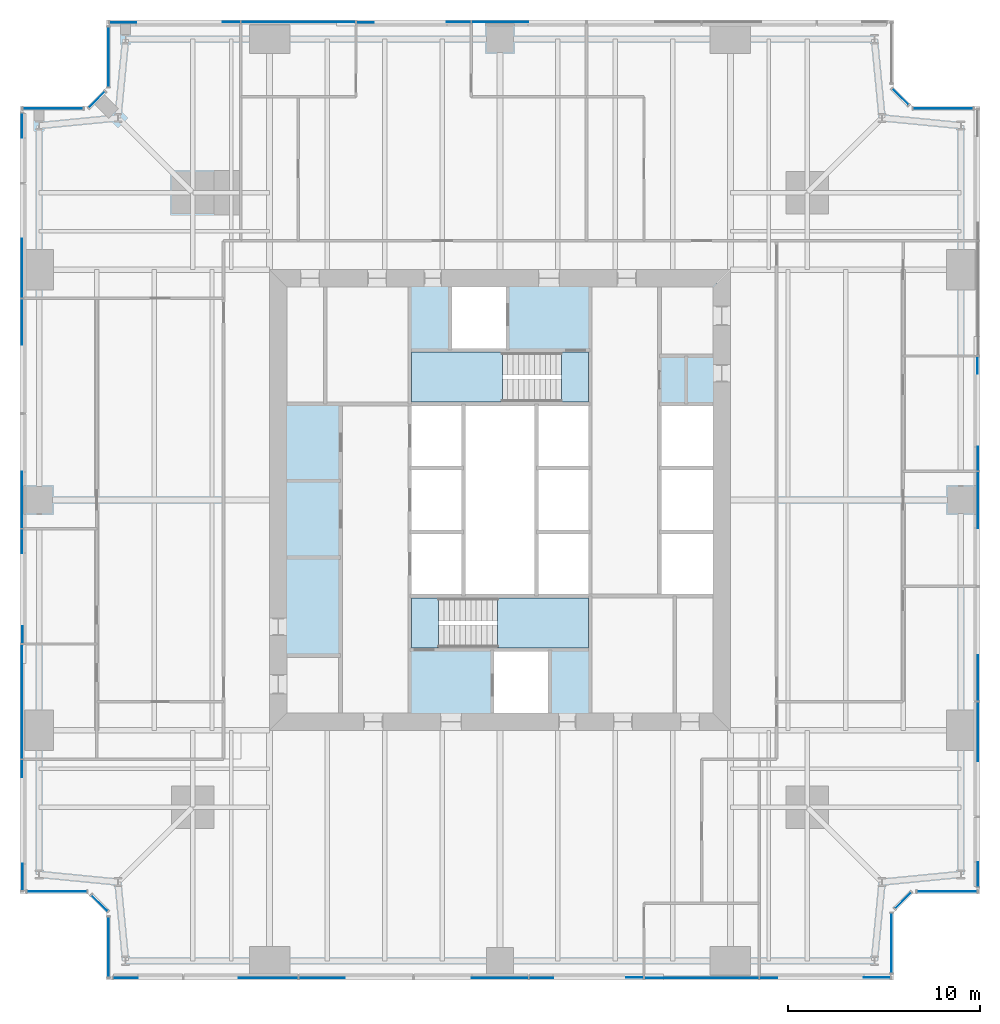
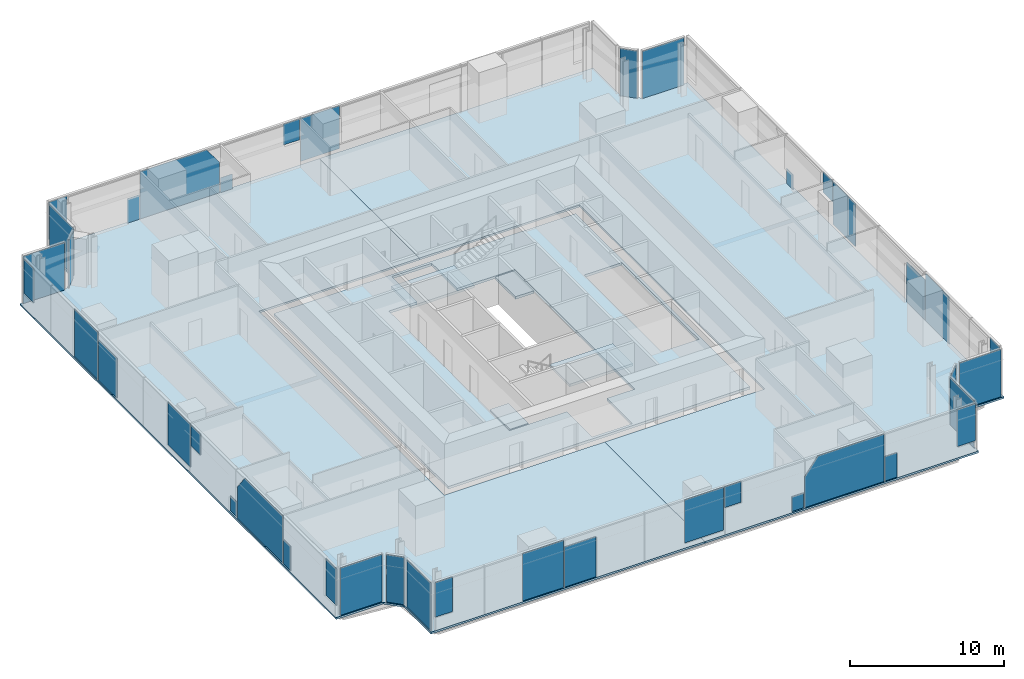
# One storey, part 8 of 14: 41 plates, 7 slabs, 17 elements without a shape of their own.
"""IFC4 building model written with IfcOpenShell, lengths in metres."""

import ifcopenshell
import ifcopenshell.guid

model = None  # the IFC model being written
_history = None  # IfcOwnerHistory: only IFC2X3 demands one
_inside = {}  # id of a spatial element -> (the spatial element, [elements in it])
_under = {}  # id of a project, library or spatial element -> (it, [spatial elements below it])
_declared = {}  # id of a project -> (the project, [libraries it declares])
_typed = {}  # id of a type object -> (the type object, [elements of that type])
_made_of = {}  # id of a material, layer set ... -> (it, [elements and type objects made of it])


def new_model(schema):
    """Start an empty IFC model of exactly this schema.

    Asked for "IFC4X3", IfcOpenShell would pick the latest addendum, in which some entities
    have other attributes; the version numbers below select the first issue.
    IFC2X3 requires an IfcOwnerHistory on every rooted entity: one is made here for all.
    """
    global model, _history
    if schema == "IFC4X3":
        model = ifcopenshell.file(schema_version=(4, 3, 0, 0))
    else:
        model = ifcopenshell.file(schema=schema)
    _inside.clear()
    _under.clear()
    _declared.clear()
    _typed.clear()
    _made_of.clear()
    _history = None
    if model.schema == "IFC2X3":
        org = make("IfcOrganization", Name="unknown")
        user = make(
            "IfcPersonAndOrganization",
            ThePerson=make("IfcPerson", FamilyName="unknown"),
            TheOrganization=org,
        )
        app = make(
            "IfcApplication",
            ApplicationDeveloper=org,
            Version="unknown",
            ApplicationFullName="unknown",
            ApplicationIdentifier="unknown",
        )
        _history = make(
            "IfcOwnerHistory",
            OwningUser=user,
            OwningApplication=app,
            ChangeAction="ADDED",
            CreationDate=0,
        )
    return model


def make(cls, **values):
    """One entity of the class cls with the attributes given. An attribute that is None is left unset."""
    return model.create_entity(
        cls, **{name: value for name, value in values.items() if value is not None}
    )


def rooted(cls, **values):
    """An entity with a GlobalId (a new one), such as an element, a storey or a relation."""
    return make(cls, GlobalId=ifcopenshell.guid.new(), OwnerHistory=_history, **values)


def si_unit(unit_type, name, prefix=None):
    """IfcSIUnit, for example si_unit("LENGTHUNIT", "METRE", prefix="MILLI")."""
    return make("IfcSIUnit", UnitType=unit_type, Prefix=prefix, Name=name)


def assignment(units):
    """IfcUnitAssignment: the units of a project."""
    return None if units is None else make("IfcUnitAssignment", Units=units)


def point(xyz):
    """IfcCartesianPoint."""
    return None if xyz is None else make("IfcCartesianPoint", Coordinates=xyz)


def direction(xyz):
    """IfcDirection."""
    return None if xyz is None else make("IfcDirection", DirectionRatios=xyz)


def frame(location, z_axis=None, x_axis=None):
    """IfcAxis2Placement3D, a coordinate frame: its origin and axes. An axis left out is left unset."""
    return make(
        "IfcAxis2Placement3D",
        Location=point(location),
        Axis=direction(z_axis),
        RefDirection=direction(x_axis),
    )


def frame_2d(location, x_axis=None):
    """IfcAxis2Placement2D, a coordinate frame in the plane: its origin and x axis."""
    return make(
        "IfcAxis2Placement2D", Location=point(location), RefDirection=direction(x_axis)
    )


def origin():
    """The frame at (0, 0, 0) with its axes left unset."""
    return frame((0.0, 0.0, 0.0))


def origin_2d():
    """The frame at (0, 0) in the plane with its x axis left unset."""
    return frame_2d((0.0, 0.0))


def place(relative_to, where):
    """IfcLocalPlacement: puts the frame where relative to a parent placement (None: the world)."""
    return make(
        "IfcLocalPlacement", PlacementRelTo=relative_to, RelativePlacement=where
    )


def context(
    kind, dimensions, precision=None, world=None, true_north=None, identifier=None
):
    """IfcGeometricRepresentationContext, for example the 3D "Model" context."""
    return make(
        "IfcGeometricRepresentationContext",
        ContextIdentifier=identifier,
        ContextType=kind,
        CoordinateSpaceDimension=dimensions,
        Precision=precision,
        WorldCoordinateSystem=world,
        TrueNorth=true_north,
    )


def subcontext(parent, identifier, kind, view, scale=None):
    """IfcGeometricRepresentationSubContext, for example "Body" below "Model"."""
    return make(
        "IfcGeometricRepresentationSubContext",
        ContextIdentifier=identifier,
        ContextType=kind,
        ParentContext=parent,
        TargetScale=scale,
        TargetView=view,
    )


def project(units=None, contexts=None):
    """IfcProject with its units and contexts."""
    return rooted(
        "IfcProject",
        Name="project",
        RepresentationContexts=contexts,
        UnitsInContext=assignment(units),
    )


def spatial(cls, under=None, at=None, **own):
    """A site, building, storey or space (cls), placed at a placement, below another one or the project."""
    s = rooted(cls, ObjectPlacement=at, **own)
    if under is not None:
        _under.setdefault(under.id(), (under, []))[1].append(s)
    return s


def polyline(points):
    """IfcPolyline through the points."""
    return make("IfcPolyline", Points=[point(p) for p in points])


def profile(cls, at=None, kind="AREA", **sizes):
    """A parametric profile (cls). Its sizes go by their IFC names, for example OverallWidth=200.0."""
    return make(cls, ProfileType=kind, Position=at, **sizes)


def rectangle(**sizes):
    """IfcRectangleProfileDef."""
    return profile("IfcRectangleProfileDef", **sizes)


def outline(outer, holes=None, kind="AREA"):
    """IfcArbitraryClosedProfileDef: a profile drawn as a closed curve; with holes, ...WithVoids."""
    if holes is None:
        return make("IfcArbitraryClosedProfileDef", ProfileType=kind, OuterCurve=outer)
    return make(
        "IfcArbitraryProfileDefWithVoids",
        ProfileType=kind,
        OuterCurve=outer,
        InnerCurves=holes,
    )


def extrude(swept, where, along, depth):
    """IfcExtrudedAreaSolid: the profile swept, set in the frame where, extruded along a direction by depth."""
    return make(
        "IfcExtrudedAreaSolid",
        SweptArea=swept,
        Position=where,
        ExtrudedDirection=direction(along),
        Depth=depth,
    )


def shape(context_of_items, identifier, shape_type, items):
    """IfcShapeRepresentation: the items that make up one representation, for example the "Body"."""
    return make(
        "IfcShapeRepresentation",
        ContextOfItems=context_of_items,
        RepresentationIdentifier=identifier,
        RepresentationType=shape_type,
        Items=items,
    )


def material(Name=None, Category=None):
    """IfcMaterial."""
    return make("IfcMaterial", Name=Name, Category=Category)


def layer(
    of_material, thickness, ventilated=None, Name=None, Category=None, Priority=None
):
    """IfcMaterialLayer: one layer of a wall or slab, of a material (None: an air gap)."""
    return make(
        "IfcMaterialLayer",
        Material=of_material,
        LayerThickness=thickness,
        IsVentilated=ventilated,
        Name=Name,
        Category=Category,
        Priority=Priority,
    )


def layer_set(layers, Name=None):
    """IfcMaterialLayerSet."""
    return make("IfcMaterialLayerSet", MaterialLayers=layers, LayerSetName=Name)


def made_of(thing, what):
    """Note that an element or type object is made of a material, layer set ...; save() writes the relation."""
    if what is not None:
        _made_of.setdefault(what.id(), (what, []))[1].append(thing)
    return thing


def type_object(cls, material=None, **own):
    """A type object (cls), such as IfcWallType, which elements share."""
    return made_of(rooted(cls, **own), material)


def element(
    cls,
    number,
    at=None,
    inside=None,
    cuts=None,
    type_object=None,
    material=None,
    context=None,
    identifier="Body",
    shape_type=None,
    held_by="IfcProductDefinitionShape",
    body=None,
    shapes=None,
    **own,
):
    """One element of the class cls, such as IfcWall. Its Tag is "e" and its number.

    at: its placement. inside: the storey or other place that contains it. cuts: it is an
    opening in that element (IfcRelVoidsElement). A single representation is given by context,
    identifier, shape_type and body (its items); several are given by shapes. held_by: the class
    of the entity that holds the representations. save() writes the other relations.
    """
    e = rooted(cls, Tag="e%d" % number, ObjectPlacement=at, **own)
    if body is not None:
        shapes = [shape(context, identifier, shape_type, body)]
    if shapes is not None:
        e.Representation = make(held_by, Representations=shapes)
    if inside is not None:
        _inside.setdefault(inside.id(), (inside, []))[1].append(e)
    if cuts is not None:
        rooted(
            "IfcRelVoidsElement", RelatingBuildingElement=cuts, RelatedOpeningElement=e
        )
    if type_object is not None:
        _typed.setdefault(type_object.id(), (type_object, []))[1].append(e)
    return made_of(e, material)


def aggregate(whole, parts):
    """IfcRelAggregates: a whole, such as a stair, and the parts it consists of."""
    return rooted("IfcRelAggregates", RelatingObject=whole, RelatedObjects=parts)


def save(model, path):
    """Write the relations noted so far, then the file.

    IfcRelAggregates (storeys below a building ...), IfcRelContainedInSpatialStructure (elements
    in a storey), IfcRelDefinesByType, IfcRelAssociatesMaterial and IfcRelDeclares: one each for
    every whole, place, type object, material and project.
    """
    for whole, parts in _under.values():
        aggregate(whole, parts)
    for where, things in _inside.values():
        rooted(
            "IfcRelContainedInSpatialStructure",
            RelatedElements=things,
            RelatingStructure=where,
        )
    for kind, things in _typed.values():
        rooted("IfcRelDefinesByType", RelatedObjects=things, RelatingType=kind)
    for what, things in _made_of.values():
        rooted("IfcRelAssociatesMaterial", RelatedObjects=things, RelatingMaterial=what)
    for by, libraries in _declared.values():
        rooted("IfcRelDeclares", RelatingContext=by, RelatedDefinitions=libraries)
    model.write(path)


model = new_model("IFC4")

# Units and contexts
model_context = context("Model", 3, precision=1e-05, world=origin(), true_north=direction((0.0, 1.0)))
body_context = subcontext(model_context, "Body", "Model", "MODEL_VIEW")
ifc_project = project(units=[si_unit("LENGTHUNIT", "METRE"), si_unit("AREAUNIT", "SQUARE_METRE"), si_unit("VOLUMEUNIT", "CUBIC_METRE"), si_unit("PLANEANGLEUNIT", "RADIAN"), si_unit("MASSUNIT", "GRAM", prefix="KILO")], contexts=[model_context])

# Site, building, storey
site_placement = place(None, origin())
site = spatial("IfcSite", under=ifc_project, at=site_placement, CompositionType="ELEMENT")
building_placement = place(site_placement, origin())
building = spatial("IfcBuilding", under=site, at=building_placement, Name="Fenwick Lantern Interchange", CompositionType="ELEMENT")
storey_placement = place(building_placement, frame((0.0, 0.0, 118.39990234375)))
storey = spatial("IfcBuildingStorey", under=building, at=storey_placement, Name="L27", CompositionType="ELEMENT", Elevation=118.39990234375)

# Slabs
ifc_material_1 = material(Name="Concrete f'c 35 MPa", Category="concrete")
ifc_layer_1 = layer(ifc_material_1, 0.199951171875)
ifc_layer_set_1 = layer_set([ifc_layer_1], Name="CORE FLOOR SLAB 200")
slab_type_1 = type_object("IfcSlabType", Name="CORE FLOOR SLAB 200", PredefinedType="FLOOR", material=ifc_layer_set_1)
slab_1_placement = place(storey_placement, frame((0.0, 0.0, -0.199951171875)))
element("IfcSlab", 1, at=slab_1_placement, inside=storey, type_object=slab_type_1, Name="L27/SLAB/CORE", PredefinedType="FLOOR", context=body_context, shape_type="SweptSolid", body=[
    extrude(outline(polyline([(13.699951171875, 36.300048828125), (36.300048828125, 36.300048828125), (36.300048828125, 13.699951171875), (13.699951171875, 13.699951171875), (13.699951171875, 36.300048828125)]), holes=[polyline([(29.699951171875, 17.199951171875), (29.699951171875, 20.0), (29.699951171875, 23.333251953125), (29.699951171875, 26.666748046875), (29.699951171875, 30.0), (29.699951171875, 32.800048828125), (25.39990234375, 32.800048828125), (25.39990234375, 36.10009765625), (22.39990234375, 36.10009765625), (22.39990234375, 32.800048828125), (20.300048828125, 32.800048828125), (20.300048828125, 30.0), (20.300048828125, 26.666748046875), (20.300048828125, 23.333251953125), (20.300048828125, 20.0), (20.300048828125, 17.199951171875), (24.60009765625, 17.199951171875), (24.60009765625, 13.89990234375), (27.60009765625, 13.89990234375), (27.60009765625, 17.199951171875), (29.699951171875, 17.199951171875)]), polyline([(33.300048828125, 23.333251953125), (33.300048828125, 20.0), (36.10009765625, 20.0), (36.10009765625, 23.333251953125), (36.10009765625, 26.666748046875), (36.10009765625, 30.0), (33.300048828125, 30.0), (33.300048828125, 26.666748046875), (33.300048828125, 23.333251953125)])]), origin(), (0.0, 0.0, 1.0), 0.199951171875),
])
ifc_material_2 = material(Name="Concrete f'c 35 MPa", Category="concrete")
ifc_layer_2 = layer(ifc_material_2, 0.14990234375)
ifc_layer_set_2 = layer_set([ifc_layer_2], Name="Concrete f'c 35 MPa")
slab_type_2 = type_object("IfcSlabType", Name="FLOOR SLAB 150", PredefinedType="FLOOR", material=ifc_layer_set_2)
slab_2_placement = place(storey_placement, frame((0.0, 0.0, -0.14990234375)))
element("IfcSlab", 2, at=slab_2_placement, inside=storey, type_object=slab_type_2, Name="L27/SLAB/FW", PredefinedType="FLOOR", context=body_context, shape_type="SweptSolid", body=[
    extrude(outline(polyline([(4.5, 0.0), (4.5, 3.5), (3.5, 4.5), (0.0, 4.5), (0.0, 45.5), (3.5, 45.5), (4.5, 46.5), (4.5, 50.0), (25.0, 50.0), (25.0, 37.0), (13.0, 37.0), (13.0, 13.0), (25.0, 13.0), (25.0, 0.0), (4.5, 0.0)])), origin(), (0.0, 0.0, 1.0), 0.14990234375),
])
slab_3_placement = place(storey_placement, frame((0.0, 0.0, -0.14990234375)))
element("IfcSlab", 3, at=slab_3_placement, inside=storey, type_object=slab_type_2, Name="L27/SLAB/FE", PredefinedType="FLOOR", context=body_context, shape_type="SweptSolid", body=[
    extrude(outline(polyline([(45.5, 50.0), (45.5, 46.5), (46.5, 45.5), (50.0, 45.5), (50.0, 4.5), (46.5, 4.5), (45.5, 3.5), (45.5, 0.0), (25.0, 0.0), (25.0, 13.0), (37.0, 13.0), (37.0, 37.0), (25.0, 37.0), (25.0, 50.0), (45.5, 50.0)])), origin(), (0.0, 0.0, 1.0), 0.14990234375),
])

# Curtain wall, plates
ifc_material_3 = material(Name="Aluminium curtain wall frame", Category="aluminium")
curtain_wall_type = type_object("IfcCurtainWallType", Name="OFFICE CURTAIN WALL", PredefinedType="USERDEFINED", material=ifc_material_3)
curtain_wall_1_placement = place(storey_placement, origin())
curtain_wall_1 = element("IfcCurtainWall", 4, at=curtain_wall_1_placement, inside=storey, type_object=curtain_wall_type, Name="Office curtain wall 01", ObjectType="OFFICE CURTAIN WALL", PredefinedType="USERDEFINED")
ifc_material_4 = material(Name="Vision glass, clear low-iron double glazed", Category="glass")
ifc_layer_3 = layer(ifc_material_4, 0.031982421875)
ifc_layer_set_3 = layer_set([ifc_layer_3], Name="OFFICE CURTAIN WALL PANEL 32")
plate_type = type_object("IfcPlateType", Name="OFFICE CURTAIN WALL PANEL 32", PredefinedType="CURTAIN_PANEL", material=ifc_layer_set_3)
plate_1_placement = place(storey_placement, frame((4.60009765625, 0.10009765625, 1.010986328125), z_axis=(0.0, 0.0, 1.0), x_axis=(1.0, 0.0, 0.0)))
plate_1 = element("IfcPlate", 5, at=plate_1_placement, type_object=plate_type, Name="L27/CW/01/P00a", PredefinedType="CURTAIN_PANEL", context=body_context, shape_type="SweptSolid", body=[
    extrude(outline(polyline([(0.264892578125, 0.0), (1.544921875, 0.0), (1.544921875, 2.739013671875), (0.264892578125, 2.739013671875), (0.264892578125, 0.0)])), frame((0.0, 0.01611328125, 0.0), z_axis=(0.0, -1.0, 0.0), x_axis=(1.0, 0.0, 0.0)), (0.0, 0.0, 1.0), 0.031982421875),
])
plate_2_placement = place(storey_placement, frame((4.60009765625, 0.10009765625, 0.0), z_axis=(0.0, 0.0, 1.0), x_axis=(1.0, 0.0, 0.0)))
plate_2 = element("IfcPlate", 6, at=plate_2_placement, type_object=plate_type, Name="L27/CW/01/P01a", PredefinedType="CURTAIN_PANEL", context=body_context, shape_type="SweptSolid", body=[
    extrude(outline(polyline([(6.802001953125, 0.0), (9.867431640625, 0.0), (9.867431640625, 3.744140625), (6.802001953125, 3.744140625), (6.802001953125, 0.0)])), frame((0.0, 0.01611328125, 0.0), z_axis=(0.0, -1.0, 0.0), x_axis=(1.0, 0.0, 0.0)), (0.0, 0.0, 1.0), 0.031982421875),
])
plate_3_placement = place(storey_placement, frame((4.60009765625, 0.10009765625, 0.0), z_axis=(0.0, 0.0, 1.0), x_axis=(1.0, 0.0, 0.0)))
plate_3 = element("IfcPlate", 7, at=plate_3_placement, type_object=plate_type, Name="L27/CW/01/P02a", PredefinedType="CURTAIN_PANEL", context=body_context, shape_type="SweptSolid", body=[
    extrude(outline(polyline([(9.9326171875, 0.0), (12.3125, 0.0), (12.3125, 3.177490234375), (9.9326171875, 3.177490234375), (9.9326171875, 0.0)])), frame((0.0, 0.01611328125, 0.0), z_axis=(0.0, -1.0, 0.0), x_axis=(1.0, 0.0, 0.0)), (0.0, 0.0, 1.0), 0.031982421875),
])
plate_4_placement = place(storey_placement, frame((4.60009765625, 0.10009765625, 0.350830078125), z_axis=(0.0, 0.0, 1.0), x_axis=(1.0, 0.0, 0.0)))
plate_4 = element("IfcPlate", 8, at=plate_4_placement, type_object=plate_type, Name="L27/CW/01/P03a", PredefinedType="CURTAIN_PANEL", context=body_context, shape_type="SweptSolid", body=[
    extrude(outline(polyline([(18.93310546875, 0.0), (21.867431640625, 0.0), (21.867431640625, 3.399169921875), (18.93310546875, 3.399169921875), (18.93310546875, 0.0)])), frame((0.0, 0.01611328125, 0.0), z_axis=(0.0, -1.0, 0.0), x_axis=(1.0, 0.0, 0.0)), (0.0, 0.0, 1.0), 0.031982421875),
])
plate_5_placement = place(storey_placement, frame((4.60009765625, 0.10009765625, 2.0908203125), z_axis=(0.0, 0.0, 1.0), x_axis=(1.0, 0.0, 0.0)))
plate_5 = element("IfcPlate", 9, at=plate_5_placement, type_object=plate_type, Name="L27/CW/01/P04a", PredefinedType="CURTAIN_PANEL", context=body_context, shape_type="SweptSolid", body=[
    extrude(outline(polyline([(21.9326171875, 0.0), (23.172607421875, 0.0), (23.172607421875, 1.6591796875), (21.9326171875, 1.6591796875), (21.9326171875, 0.0)])), frame((0.0, 0.01611328125, 0.0), z_axis=(0.0, -1.0, 0.0), x_axis=(1.0, 0.0, 0.0)), (0.0, 0.0, 1.0), 0.031982421875),
])
plate_6_placement = place(storey_placement, frame((4.60009765625, 0.10009765625, 0.0), z_axis=(0.0, 0.0, 1.0), x_axis=(1.0, 0.0, 0.0)))
plate_6 = element("IfcPlate", 10, at=plate_6_placement, type_object=plate_type, Name="L27/CW/01/P04b", PredefinedType="CURTAIN_PANEL", context=body_context, shape_type="SweptSolid", body=[
    extrude(outline(polyline([(26.984619140625, 0.0), (27.867431640625, 0.0), (27.867431640625, 1.17333984375), (26.984619140625, 1.17333984375), (26.984619140625, 0.0)])), frame((0.0, 0.0498046875, 0.0), z_axis=(0.0, -1.0, 0.0), x_axis=(1.0, 0.0, 0.0)), (0.0, 0.0, 1.0), 0.031982421875),
])
plate_7_placement = place(storey_placement, frame((4.60009765625, 0.10009765625, 0.0), z_axis=(0.0, 0.0, 1.0), x_axis=(1.0, 0.0, 0.0)))
plate_7 = element("IfcPlate", 11, at=plate_7_placement, type_object=plate_type, Name="L27/CW/01/P05a", PredefinedType="CURTAIN_PANEL", context=body_context, shape_type="SweptSolid", body=[
    extrude(outline(polyline([(27.9326171875, 0.0), (33.867431640625, 0.0), (33.867431640625, 3.75), (28.9169921875, 3.75), (27.9326171875, 2.4375), (27.9326171875, 0.0)])), frame((0.0, 0.01611328125, 0.0), z_axis=(0.0, -1.0, 0.0), x_axis=(1.0, 0.0, 0.0)), (0.0, 0.0, 1.0), 0.031982421875),
])
plate_8_placement = place(storey_placement, frame((4.60009765625, 0.10009765625, 0.0), z_axis=(0.0, 0.0, 1.0), x_axis=(1.0, 0.0, 0.0)))
plate_8 = element("IfcPlate", 12, at=plate_8_placement, type_object=plate_type, Name="L27/CW/01/P06a", PredefinedType="CURTAIN_PANEL", context=body_context, shape_type="SweptSolid", body=[
    extrude(outline(polyline([(33.9326171875, 0.0), (34.842529296875, 0.0), (34.842529296875, 1.9423828125), (33.9326171875, 1.9423828125), (33.9326171875, 0.0)])), frame((0.0, 0.01611328125, 0.0), z_axis=(0.0, -1.0, 0.0), x_axis=(1.0, 0.0, 0.0)), (0.0, 0.0, 1.0), 0.031982421875),
])
plate_9_placement = place(storey_placement, frame((4.60009765625, 0.10009765625, 0.80615234375), z_axis=(0.0, 0.0, 1.0), x_axis=(1.0, 0.0, 0.0)))
plate_9 = element("IfcPlate", 13, at=plate_9_placement, type_object=plate_type, Name="L27/CW/01/P06b", PredefinedType="CURTAIN_PANEL", context=body_context, shape_type="SweptSolid", body=[
    extrude(outline(polyline([(39.35107421875, 0.0), (40.735107421875, 0.0), (40.735107421875, 2.94384765625), (39.35107421875, 2.94384765625), (39.35107421875, 0.0)])), frame((0.0, 0.0498046875, 0.0), z_axis=(0.0, -1.0, 0.0), x_axis=(1.0, 0.0, 0.0)), (0.0, 0.0, 1.0), 0.031982421875),
])
aggregate(curtain_wall_1, [plate_1, plate_2, plate_3, plate_4, plate_5, plate_6, plate_7, plate_8, plate_9])

# Curtain wall, plate
curtain_wall_2_placement = place(storey_placement, origin())
curtain_wall_2 = element("IfcCurtainWall", 14, at=curtain_wall_2_placement, inside=storey, type_object=curtain_wall_type, Name="Office curtain wall 02", ObjectType="OFFICE CURTAIN WALL", PredefinedType="USERDEFINED")
plate_10_placement = place(storey_placement, frame((45.39990234375, 1.920654296875, 0.0), z_axis=(0.0, 0.0, 1.0), x_axis=(0.0, 1.0, 0.0)))
plate_10 = element("IfcPlate", 15, at=plate_10_placement, type_object=plate_type, Name="L27/CW/02/P00", PredefinedType="CURTAIN_PANEL", context=body_context, shape_type="SweptSolid", body=[
    extrude(rectangle(XDim=3.111328125, YDim=0.031982421875, at=origin_2d()), origin(), (0.0, 0.0, 1.0), 3.75),
])
aggregate(curtain_wall_2, [plate_10])

curtain_wall_3_placement = place(storey_placement, origin())
curtain_wall_3 = element("IfcCurtainWall", 16, at=curtain_wall_3_placement, inside=storey, type_object=curtain_wall_type, Name="Office curtain wall 03", ObjectType="OFFICE CURTAIN WALL", PredefinedType="USERDEFINED")
plate_11_placement = place(storey_placement, frame((46.0, 4.141357421875, 0.0), z_axis=(0.0, 0.0, 1.0), x_axis=(0.707106781187, 0.707106781187, 0.0)))
plate_11 = element("IfcPlate", 17, at=plate_11_placement, type_object=plate_type, Name="L27/CW/03/P00", PredefinedType="CURTAIN_PANEL", context=body_context, shape_type="SweptSolid", body=[
    extrude(rectangle(XDim=1.1669921875, YDim=0.031982421875, at=origin_2d()), origin(), (0.0, 0.0, 1.0), 3.75),
])
aggregate(curtain_wall_3, [plate_11])

curtain_wall_4_placement = place(storey_placement, origin())
curtain_wall_4 = element("IfcCurtainWall", 18, at=curtain_wall_4_placement, inside=storey, type_object=curtain_wall_type, Name="Office curtain wall 04", ObjectType="OFFICE CURTAIN WALL", PredefinedType="USERDEFINED")
plate_12_placement = place(storey_placement, frame((48.279296875, 4.60009765625, 0.0), z_axis=(0.0, 0.0, 1.0), x_axis=(1.0, 0.0, 0.0)))
plate_12 = element("IfcPlate", 19, at=plate_12_placement, type_object=plate_type, Name="L27/CW/04/P00", PredefinedType="CURTAIN_PANEL", context=body_context, shape_type="SweptSolid", body=[
    extrude(rectangle(XDim=3.111328125, YDim=0.031982421875, at=origin_2d()), origin(), (0.0, 0.0, 1.0), 3.75),
])
aggregate(curtain_wall_4, [plate_12])

# Curtain wall, plates
curtain_wall_5_placement = place(storey_placement, origin())
curtain_wall_5 = element("IfcCurtainWall", 20, at=curtain_wall_5_placement, inside=storey, type_object=curtain_wall_type, Name="Office curtain wall 05", ObjectType="OFFICE CURTAIN WALL", PredefinedType="USERDEFINED")
plate_13_placement = place(storey_placement, frame((49.89990234375, 4.60009765625, 1.010986328125), z_axis=(0.0, 0.0, 1.0), x_axis=(0.0, 1.0, 0.0)))
plate_13 = element("IfcPlate", 21, at=plate_13_placement, type_object=plate_type, Name="L27/CW/05/P00a", PredefinedType="CURTAIN_PANEL", context=body_context, shape_type="SweptSolid", body=[
    extrude(outline(polyline([(0.264892578125, 0.0), (1.544921875, 0.0), (1.544921875, 2.739013671875), (0.264892578125, 2.739013671875), (0.264892578125, 0.0)])), frame((0.0, 0.01611328125, 0.0), z_axis=(0.0, -1.0, 0.0), x_axis=(1.0, 0.0, 0.0)), (0.0, 0.0, 1.0), 0.031982421875),
])
plate_14_placement = place(storey_placement, frame((49.89990234375, 4.60009765625, 0.0), z_axis=(0.0, 0.0, 1.0), x_axis=(0.0, 1.0, 0.0)))
plate_14 = element("IfcPlate", 22, at=plate_14_placement, type_object=plate_type, Name="L27/CW/05/P01a", PredefinedType="CURTAIN_PANEL", context=body_context, shape_type="SweptSolid", body=[
    extrude(outline(polyline([(6.802001953125, 0.0), (9.867431640625, 0.0), (9.867431640625, 3.744140625), (6.802001953125, 3.744140625), (6.802001953125, 0.0)])), frame((0.0, 0.01611328125, 0.0), z_axis=(0.0, -1.0, 0.0), x_axis=(1.0, 0.0, 0.0)), (0.0, 0.0, 1.0), 0.031982421875),
])
plate_15_placement = place(storey_placement, frame((49.89990234375, 4.60009765625, 0.0), z_axis=(0.0, 0.0, 1.0), x_axis=(0.0, 1.0, 0.0)))
plate_15 = element("IfcPlate", 23, at=plate_15_placement, type_object=plate_type, Name="L27/CW/05/P02a", PredefinedType="CURTAIN_PANEL", context=body_context, shape_type="SweptSolid", body=[
    extrude(outline(polyline([(9.9326171875, 0.0), (12.3125, 0.0), (12.3125, 3.177490234375), (9.9326171875, 3.177490234375), (9.9326171875, 0.0)])), frame((0.0, 0.01611328125, 0.0), z_axis=(0.0, -1.0, 0.0), x_axis=(1.0, 0.0, 0.0)), (0.0, 0.0, 1.0), 0.031982421875),
])
plate_16_placement = place(storey_placement, frame((49.89990234375, 4.60009765625, 0.350830078125), z_axis=(0.0, 0.0, 1.0), x_axis=(0.0, 1.0, 0.0)))
plate_16 = element("IfcPlate", 24, at=plate_16_placement, type_object=plate_type, Name="L27/CW/05/P03a", PredefinedType="CURTAIN_PANEL", context=body_context, shape_type="SweptSolid", body=[
    extrude(outline(polyline([(18.93310546875, 0.0), (21.867431640625, 0.0), (21.867431640625, 3.399169921875), (18.93310546875, 3.399169921875), (18.93310546875, 0.0)])), frame((0.0, 0.01611328125, 0.0), z_axis=(0.0, -1.0, 0.0), x_axis=(1.0, 0.0, 0.0)), (0.0, 0.0, 1.0), 0.031982421875),
])
plate_17_placement = place(storey_placement, frame((49.89990234375, 4.60009765625, 2.0908203125), z_axis=(0.0, 0.0, 1.0), x_axis=(0.0, 1.0, 0.0)))
plate_17 = element("IfcPlate", 25, at=plate_17_placement, type_object=plate_type, Name="L27/CW/05/P04a", PredefinedType="CURTAIN_PANEL", context=body_context, shape_type="SweptSolid", body=[
    extrude(outline(polyline([(21.9326171875, 0.0), (23.172607421875, 0.0), (23.172607421875, 1.6591796875), (21.9326171875, 1.6591796875), (21.9326171875, 0.0)])), frame((0.0, 0.01611328125, 0.0), z_axis=(0.0, -1.0, 0.0), x_axis=(1.0, 0.0, 0.0)), (0.0, 0.0, 1.0), 0.031982421875),
])
plate_18_placement = place(storey_placement, frame((49.89990234375, 4.60009765625, 0.0), z_axis=(0.0, 0.0, 1.0), x_axis=(0.0, 1.0, 0.0)))
plate_18 = element("IfcPlate", 26, at=plate_18_placement, type_object=plate_type, Name="L27/CW/05/P04b", PredefinedType="CURTAIN_PANEL", context=body_context, shape_type="SweptSolid", body=[
    extrude(outline(polyline([(26.984619140625, 0.0), (27.867431640625, 0.0), (27.867431640625, 1.17333984375), (26.984619140625, 1.17333984375), (26.984619140625, 0.0)])), frame((0.0, 0.0498046875, 0.0), z_axis=(0.0, -1.0, 0.0), x_axis=(1.0, 0.0, 0.0)), (0.0, 0.0, 1.0), 0.031982421875),
])
aggregate(curtain_wall_5, [plate_13, plate_14, plate_15, plate_16, plate_17, plate_18])

# Curtain wall, plate
curtain_wall_6_placement = place(storey_placement, origin())
curtain_wall_6 = element("IfcCurtainWall", 27, at=curtain_wall_6_placement, inside=storey, type_object=curtain_wall_type, Name="Office curtain wall 06", ObjectType="OFFICE CURTAIN WALL", PredefinedType="USERDEFINED")
plate_19_placement = place(storey_placement, frame((48.079345703125, 45.39990234375, 0.0), z_axis=(0.0, 0.0, 1.0), x_axis=(-1.0, 0.0, 0.0)))
plate_19 = element("IfcPlate", 28, at=plate_19_placement, type_object=plate_type, Name="L27/CW/06/P00", PredefinedType="CURTAIN_PANEL", context=body_context, shape_type="SweptSolid", body=[
    extrude(rectangle(XDim=3.111328125, YDim=0.031982421875, at=origin_2d()), origin(), (0.0, 0.0, 1.0), 3.75),
])
aggregate(curtain_wall_6, [plate_19])

curtain_wall_7_placement = place(storey_placement, origin())
curtain_wall_7 = element("IfcCurtainWall", 29, at=curtain_wall_7_placement, inside=storey, type_object=curtain_wall_type, Name="Office curtain wall 07", ObjectType="OFFICE CURTAIN WALL", PredefinedType="USERDEFINED")
plate_20_placement = place(storey_placement, frame((45.858642578125, 46.0, 0.0), z_axis=(0.0, 0.0, 1.0), x_axis=(-0.707106781187, 0.707106781187, 0.0)))
plate_20 = element("IfcPlate", 30, at=plate_20_placement, type_object=plate_type, Name="L27/CW/07/P00", PredefinedType="CURTAIN_PANEL", context=body_context, shape_type="SweptSolid", body=[
    extrude(rectangle(XDim=1.1669921875, YDim=0.031982421875, at=origin_2d()), origin(), (0.0, 0.0, 1.0), 3.75),
])
aggregate(curtain_wall_7, [plate_20])

# Curtain wall, plates
curtain_wall_8_placement = place(storey_placement, origin())
curtain_wall_8 = element("IfcCurtainWall", 31, at=curtain_wall_8_placement, inside=storey, type_object=curtain_wall_type, Name="Office curtain wall 09", ObjectType="OFFICE CURTAIN WALL", PredefinedType="USERDEFINED")
plate_21_placement = place(storey_placement, frame((45.39990234375, 49.89990234375, 0.350830078125), z_axis=(0.0, 0.0, 1.0), x_axis=(-1.0, 0.0, 0.0)))
plate_21 = element("IfcPlate", 32, at=plate_21_placement, type_object=plate_type, Name="L27/CW/09/P03a", PredefinedType="CURTAIN_PANEL", context=body_context, shape_type="SweptSolid", body=[
    extrude(outline(polyline([(18.93310546875, 0.0), (21.867431640625, 0.0), (21.867431640625, 3.399169921875), (18.93310546875, 3.399169921875), (18.93310546875, 0.0)])), frame((0.0, 0.01611328125, 0.0), z_axis=(0.0, -1.0, 0.0), x_axis=(1.0, 0.0, 0.0)), (0.0, 0.0, 1.0), 0.031982421875),
])
plate_22_placement = place(storey_placement, frame((45.39990234375, 49.89990234375, 2.0908203125), z_axis=(0.0, 0.0, 1.0), x_axis=(-1.0, 0.0, 0.0)))
plate_22 = element("IfcPlate", 33, at=plate_22_placement, type_object=plate_type, Name="L27/CW/09/P04a", PredefinedType="CURTAIN_PANEL", context=body_context, shape_type="SweptSolid", body=[
    extrude(outline(polyline([(21.9326171875, 0.0), (23.172607421875, 0.0), (23.172607421875, 1.6591796875), (21.9326171875, 1.6591796875), (21.9326171875, 0.0)])), frame((0.0, 0.01611328125, 0.0), z_axis=(0.0, -1.0, 0.0), x_axis=(1.0, 0.0, 0.0)), (0.0, 0.0, 1.0), 0.031982421875),
])
plate_23_placement = place(storey_placement, frame((45.39990234375, 49.89990234375, 0.0), z_axis=(0.0, 0.0, 1.0), x_axis=(-1.0, 0.0, 0.0)))
plate_23 = element("IfcPlate", 34, at=plate_23_placement, type_object=plate_type, Name="L27/CW/09/P04b", PredefinedType="CURTAIN_PANEL", context=body_context, shape_type="SweptSolid", body=[
    extrude(outline(polyline([(26.984619140625, 0.0), (27.867431640625, 0.0), (27.867431640625, 1.17333984375), (26.984619140625, 1.17333984375), (26.984619140625, 0.0)])), frame((0.0, 0.0498046875, 0.0), z_axis=(0.0, -1.0, 0.0), x_axis=(1.0, 0.0, 0.0)), (0.0, 0.0, 1.0), 0.031982421875),
])
plate_24_placement = place(storey_placement, frame((45.39990234375, 49.89990234375, 0.0), z_axis=(0.0, 0.0, 1.0), x_axis=(-1.0, 0.0, 0.0)))
plate_24 = element("IfcPlate", 35, at=plate_24_placement, type_object=plate_type, Name="L27/CW/09/P05a", PredefinedType="CURTAIN_PANEL", context=body_context, shape_type="SweptSolid", body=[
    extrude(outline(polyline([(27.9326171875, 0.0), (33.867431640625, 0.0), (33.867431640625, 3.75), (28.9169921875, 3.75), (27.9326171875, 2.4375), (27.9326171875, 0.0)])), frame((0.0, 0.01611328125, 0.0), z_axis=(0.0, -1.0, 0.0), x_axis=(1.0, 0.0, 0.0)), (0.0, 0.0, 1.0), 0.031982421875),
])
plate_25_placement = place(storey_placement, frame((45.39990234375, 49.89990234375, 0.0), z_axis=(0.0, 0.0, 1.0), x_axis=(-1.0, 0.0, 0.0)))
plate_25 = element("IfcPlate", 36, at=plate_25_placement, type_object=plate_type, Name="L27/CW/09/P06a", PredefinedType="CURTAIN_PANEL", context=body_context, shape_type="SweptSolid", body=[
    extrude(outline(polyline([(33.9326171875, 0.0), (34.842529296875, 0.0), (34.842529296875, 1.9423828125), (33.9326171875, 1.9423828125), (33.9326171875, 0.0)])), frame((0.0, 0.01611328125, 0.0), z_axis=(0.0, -1.0, 0.0), x_axis=(1.0, 0.0, 0.0)), (0.0, 0.0, 1.0), 0.031982421875),
])
plate_26_placement = place(storey_placement, frame((45.39990234375, 49.89990234375, 0.80615234375), z_axis=(0.0, 0.0, 1.0), x_axis=(-1.0, 0.0, 0.0)))
plate_26 = element("IfcPlate", 37, at=plate_26_placement, type_object=plate_type, Name="L27/CW/09/P06b", PredefinedType="CURTAIN_PANEL", context=body_context, shape_type="SweptSolid", body=[
    extrude(outline(polyline([(39.35107421875, 0.0), (40.735107421875, 0.0), (40.735107421875, 2.94384765625), (39.35107421875, 2.94384765625), (39.35107421875, 0.0)])), frame((0.0, 0.0498046875, 0.0), z_axis=(0.0, -1.0, 0.0), x_axis=(1.0, 0.0, 0.0)), (0.0, 0.0, 1.0), 0.031982421875),
])
aggregate(curtain_wall_8, [plate_21, plate_22, plate_23, plate_24, plate_25, plate_26])

# Curtain wall, plate
curtain_wall_9_placement = place(storey_placement, origin())
curtain_wall_9 = element("IfcCurtainWall", 38, at=curtain_wall_9_placement, inside=storey, type_object=curtain_wall_type, Name="Office curtain wall 10", ObjectType="OFFICE CURTAIN WALL", PredefinedType="USERDEFINED")
plate_27_placement = place(storey_placement, frame((4.60009765625, 48.079345703125, 0.0), z_axis=(0.0, 0.0, 1.0), x_axis=(0.0, -1.0, 0.0)))
plate_27 = element("IfcPlate", 39, at=plate_27_placement, type_object=plate_type, Name="L27/CW/10/P00", PredefinedType="CURTAIN_PANEL", context=body_context, shape_type="SweptSolid", body=[
    extrude(rectangle(XDim=3.111328125, YDim=0.031982421875, at=origin_2d()), origin(), (0.0, 0.0, 1.0), 3.75),
])
aggregate(curtain_wall_9, [plate_27])

curtain_wall_10_placement = place(storey_placement, origin())
curtain_wall_10 = element("IfcCurtainWall", 40, at=curtain_wall_10_placement, inside=storey, type_object=curtain_wall_type, Name="Office curtain wall 11", ObjectType="OFFICE CURTAIN WALL", PredefinedType="USERDEFINED")
plate_28_placement = place(storey_placement, frame((4.0, 45.858642578125, 0.0), z_axis=(0.0, 0.0, 1.0), x_axis=(-0.707106781187, -0.707106781187, 0.0)))
plate_28 = element("IfcPlate", 41, at=plate_28_placement, type_object=plate_type, Name="L27/CW/11/P00", PredefinedType="CURTAIN_PANEL", context=body_context, shape_type="SweptSolid", body=[
    extrude(rectangle(XDim=1.1669921875, YDim=0.031982421875, at=origin_2d()), origin(), (0.0, 0.0, 1.0), 3.75),
])
aggregate(curtain_wall_10, [plate_28])

curtain_wall_11_placement = place(storey_placement, origin())
curtain_wall_11 = element("IfcCurtainWall", 42, at=curtain_wall_11_placement, inside=storey, type_object=curtain_wall_type, Name="Office curtain wall 12", ObjectType="OFFICE CURTAIN WALL", PredefinedType="USERDEFINED")
plate_29_placement = place(storey_placement, frame((1.720703125, 45.39990234375, 0.0), z_axis=(0.0, 0.0, 1.0), x_axis=(-1.0, 0.0, 0.0)))
plate_29 = element("IfcPlate", 43, at=plate_29_placement, type_object=plate_type, Name="L27/CW/12/P00", PredefinedType="CURTAIN_PANEL", context=body_context, shape_type="SweptSolid", body=[
    extrude(rectangle(XDim=3.111328125, YDim=0.031982421875, at=origin_2d()), origin(), (0.0, 0.0, 1.0), 3.75),
])
aggregate(curtain_wall_11, [plate_29])

# Curtain wall, plates
curtain_wall_12_placement = place(storey_placement, origin())
curtain_wall_12 = element("IfcCurtainWall", 44, at=curtain_wall_12_placement, inside=storey, type_object=curtain_wall_type, Name="Office curtain wall 13", ObjectType="OFFICE CURTAIN WALL", PredefinedType="USERDEFINED")
plate_30_placement = place(storey_placement, frame((0.10009765625, 45.39990234375, 1.010986328125), z_axis=(0.0, 0.0, 1.0), x_axis=(0.0, -1.0, 0.0)))
plate_30 = element("IfcPlate", 45, at=plate_30_placement, type_object=plate_type, Name="L27/CW/13/P00a", PredefinedType="CURTAIN_PANEL", context=body_context, shape_type="SweptSolid", body=[
    extrude(outline(polyline([(0.264892578125, 0.0), (1.544921875, 0.0), (1.544921875, 2.739013671875), (0.264892578125, 2.739013671875), (0.264892578125, 0.0)])), frame((0.0, 0.01611328125, 0.0), z_axis=(0.0, -1.0, 0.0), x_axis=(1.0, 0.0, 0.0)), (0.0, 0.0, 1.0), 0.031982421875),
])
plate_31_placement = place(storey_placement, frame((0.10009765625, 45.39990234375, 0.0), z_axis=(0.0, 0.0, 1.0), x_axis=(0.0, -1.0, 0.0)))
plate_31 = element("IfcPlate", 46, at=plate_31_placement, type_object=plate_type, Name="L27/CW/13/P01a", PredefinedType="CURTAIN_PANEL", context=body_context, shape_type="SweptSolid", body=[
    extrude(outline(polyline([(6.802001953125, 0.0), (9.867431640625, 0.0), (9.867431640625, 3.744140625), (6.802001953125, 3.744140625), (6.802001953125, 0.0)])), frame((0.0, 0.01611328125, 0.0), z_axis=(0.0, -1.0, 0.0), x_axis=(1.0, 0.0, 0.0)), (0.0, 0.0, 1.0), 0.031982421875),
])
plate_32_placement = place(storey_placement, frame((0.10009765625, 45.39990234375, 0.0), z_axis=(0.0, 0.0, 1.0), x_axis=(0.0, -1.0, 0.0)))
plate_32 = element("IfcPlate", 47, at=plate_32_placement, type_object=plate_type, Name="L27/CW/13/P02a", PredefinedType="CURTAIN_PANEL", context=body_context, shape_type="SweptSolid", body=[
    extrude(outline(polyline([(9.9326171875, 0.0), (12.3125, 0.0), (12.3125, 3.177490234375), (9.9326171875, 3.177490234375), (9.9326171875, 0.0)])), frame((0.0, 0.01611328125, 0.0), z_axis=(0.0, -1.0, 0.0), x_axis=(1.0, 0.0, 0.0)), (0.0, 0.0, 1.0), 0.031982421875),
])
plate_33_placement = place(storey_placement, frame((0.10009765625, 45.39990234375, 0.350830078125), z_axis=(0.0, 0.0, 1.0), x_axis=(0.0, -1.0, 0.0)))
plate_33 = element("IfcPlate", 48, at=plate_33_placement, type_object=plate_type, Name="L27/CW/13/P03a", PredefinedType="CURTAIN_PANEL", context=body_context, shape_type="SweptSolid", body=[
    extrude(outline(polyline([(18.93310546875, 0.0), (21.867431640625, 0.0), (21.867431640625, 3.399169921875), (18.93310546875, 3.399169921875), (18.93310546875, 0.0)])), frame((0.0, 0.01611328125, 0.0), z_axis=(0.0, -1.0, 0.0), x_axis=(1.0, 0.0, 0.0)), (0.0, 0.0, 1.0), 0.031982421875),
])
plate_34_placement = place(storey_placement, frame((0.10009765625, 45.39990234375, 2.0908203125), z_axis=(0.0, 0.0, 1.0), x_axis=(0.0, -1.0, 0.0)))
plate_34 = element("IfcPlate", 49, at=plate_34_placement, type_object=plate_type, Name="L27/CW/13/P04a", PredefinedType="CURTAIN_PANEL", context=body_context, shape_type="SweptSolid", body=[
    extrude(outline(polyline([(21.9326171875, 0.0), (23.172607421875, 0.0), (23.172607421875, 1.6591796875), (21.9326171875, 1.6591796875), (21.9326171875, 0.0)])), frame((0.0, 0.01611328125, 0.0), z_axis=(0.0, -1.0, 0.0), x_axis=(1.0, 0.0, 0.0)), (0.0, 0.0, 1.0), 0.031982421875),
])
plate_35_placement = place(storey_placement, frame((0.10009765625, 45.39990234375, 0.0), z_axis=(0.0, 0.0, 1.0), x_axis=(0.0, -1.0, 0.0)))
plate_35 = element("IfcPlate", 50, at=plate_35_placement, type_object=plate_type, Name="L27/CW/13/P04b", PredefinedType="CURTAIN_PANEL", context=body_context, shape_type="SweptSolid", body=[
    extrude(outline(polyline([(26.984619140625, 0.0), (27.867431640625, 0.0), (27.867431640625, 1.17333984375), (26.984619140625, 1.17333984375), (26.984619140625, 0.0)])), frame((0.0, 0.0498046875, 0.0), z_axis=(0.0, -1.0, 0.0), x_axis=(1.0, 0.0, 0.0)), (0.0, 0.0, 1.0), 0.031982421875),
])
plate_36_placement = place(storey_placement, frame((0.10009765625, 45.39990234375, 0.0), z_axis=(0.0, 0.0, 1.0), x_axis=(0.0, -1.0, 0.0)))
plate_36 = element("IfcPlate", 51, at=plate_36_placement, type_object=plate_type, Name="L27/CW/13/P05a", PredefinedType="CURTAIN_PANEL", context=body_context, shape_type="SweptSolid", body=[
    extrude(outline(polyline([(27.9326171875, 0.0), (33.867431640625, 0.0), (33.867431640625, 3.75), (28.9169921875, 3.75), (27.9326171875, 2.4375), (27.9326171875, 0.0)])), frame((0.0, 0.01611328125, 0.0), z_axis=(0.0, -1.0, 0.0), x_axis=(1.0, 0.0, 0.0)), (0.0, 0.0, 1.0), 0.031982421875),
])
plate_37_placement = place(storey_placement, frame((0.10009765625, 45.39990234375, 0.0), z_axis=(0.0, 0.0, 1.0), x_axis=(0.0, -1.0, 0.0)))
plate_37 = element("IfcPlate", 52, at=plate_37_placement, type_object=plate_type, Name="L27/CW/13/P06a", PredefinedType="CURTAIN_PANEL", context=body_context, shape_type="SweptSolid", body=[
    extrude(outline(polyline([(33.9326171875, 0.0), (34.842529296875, 0.0), (34.842529296875, 1.9423828125), (33.9326171875, 1.9423828125), (33.9326171875, 0.0)])), frame((0.0, 0.01611328125, 0.0), z_axis=(0.0, -1.0, 0.0), x_axis=(1.0, 0.0, 0.0)), (0.0, 0.0, 1.0), 0.031982421875),
])
plate_38_placement = place(storey_placement, frame((0.10009765625, 45.39990234375, 0.80615234375), z_axis=(0.0, 0.0, 1.0), x_axis=(0.0, -1.0, 0.0)))
plate_38 = element("IfcPlate", 53, at=plate_38_placement, type_object=plate_type, Name="L27/CW/13/P06b", PredefinedType="CURTAIN_PANEL", context=body_context, shape_type="SweptSolid", body=[
    extrude(outline(polyline([(39.35107421875, 0.0), (40.735107421875, 0.0), (40.735107421875, 2.94384765625), (39.35107421875, 2.94384765625), (39.35107421875, 0.0)])), frame((0.0, 0.0498046875, 0.0), z_axis=(0.0, -1.0, 0.0), x_axis=(1.0, 0.0, 0.0)), (0.0, 0.0, 1.0), 0.031982421875),
])
aggregate(curtain_wall_12, [plate_30, plate_31, plate_32, plate_33, plate_34, plate_35, plate_36, plate_37, plate_38])

# Curtain wall, plate
curtain_wall_13_placement = place(storey_placement, origin())
curtain_wall_13 = element("IfcCurtainWall", 54, at=curtain_wall_13_placement, inside=storey, type_object=curtain_wall_type, Name="Office curtain wall 14", ObjectType="OFFICE CURTAIN WALL", PredefinedType="USERDEFINED")
plate_39_placement = place(storey_placement, frame((1.920654296875, 4.60009765625, 0.0), z_axis=(0.0, 0.0, 1.0), x_axis=(1.0, 0.0, 0.0)))
plate_39 = element("IfcPlate", 55, at=plate_39_placement, type_object=plate_type, Name="L27/CW/14/P00", PredefinedType="CURTAIN_PANEL", context=body_context, shape_type="SweptSolid", body=[
    extrude(rectangle(XDim=3.111328125, YDim=0.031982421875, at=origin_2d()), origin(), (0.0, 0.0, 1.0), 3.75),
])
aggregate(curtain_wall_13, [plate_39])

curtain_wall_14_placement = place(storey_placement, origin())
curtain_wall_14 = element("IfcCurtainWall", 56, at=curtain_wall_14_placement, inside=storey, type_object=curtain_wall_type, Name="Office curtain wall 15", ObjectType="OFFICE CURTAIN WALL", PredefinedType="USERDEFINED")
plate_40_placement = place(storey_placement, frame((4.141357421875, 4.0, 0.0), z_axis=(0.0, 0.0, 1.0), x_axis=(0.707106781187, -0.707106781187, 0.0)))
plate_40 = element("IfcPlate", 57, at=plate_40_placement, type_object=plate_type, Name="L27/CW/15/P00", PredefinedType="CURTAIN_PANEL", context=body_context, shape_type="SweptSolid", body=[
    extrude(rectangle(XDim=1.1669921875, YDim=0.031982421875, at=origin_2d()), origin(), (0.0, 0.0, 1.0), 3.75),
])
aggregate(curtain_wall_14, [plate_40])

curtain_wall_15_placement = place(storey_placement, origin())
curtain_wall_15 = element("IfcCurtainWall", 58, at=curtain_wall_15_placement, inside=storey, type_object=curtain_wall_type, Name="Office curtain wall 16", ObjectType="OFFICE CURTAIN WALL", PredefinedType="USERDEFINED")
plate_41_placement = place(storey_placement, frame((4.60009765625, 1.720703125, 0.0), z_axis=(0.0, 0.0, 1.0), x_axis=(0.0, -1.0, 0.0)))
plate_41 = element("IfcPlate", 59, at=plate_41_placement, type_object=plate_type, Name="L27/CW/16/P00", PredefinedType="CURTAIN_PANEL", context=body_context, shape_type="SweptSolid", body=[
    extrude(rectangle(XDim=3.111328125, YDim=0.031982421875, at=origin_2d()), origin(), (0.0, 0.0, 1.0), 3.75),
])
aggregate(curtain_wall_15, [plate_41])

# Stair, slabs
ifc_material_5 = material(Name="Precast concrete f'c 35 MPa", Category="concrete")
stair_type = type_object("IfcStairType", Name="EXIT STAIR 1200", PredefinedType="HALF_TURN_STAIR", material=ifc_material_5)
stair_1_placement = place(storey_placement, origin())
stair_1 = element("IfcStair", 60, at=stair_1_placement, inside=storey, type_object=stair_type, Name="Exit stair ST1", PredefinedType="HALF_TURN_STAIR")
ifc_layer_4 = layer(ifc_material_1, 0.199951171875)
ifc_layer_set_4 = layer_set([ifc_layer_4], Name="STAIR LANDING 200")
slab_type_3 = type_object("IfcSlabType", Name="STAIR LANDING 200", PredefinedType="LANDING", material=ifc_layer_set_4)
slab_4_placement = place(storey_placement, frame((0.0, 0.0, 1.800048828125)))
slab_4 = element("IfcSlab", 61, at=slab_4_placement, type_object=slab_type_3, Name="ST1 landing 1", PredefinedType="LANDING", context=body_context, shape_type="SweptSolid", body=[
    extrude(outline(polyline([(24.8798828125, 17.300048828125), (29.60009765625, 17.300048828125), (29.60009765625, 19.89990234375), (24.8798828125, 19.89990234375), (24.8798828125, 17.300048828125)])), origin(), (0.0, 0.0, 1.0), 0.199951171875),
])
slab_5_placement = place(storey_placement, frame((0.0, 0.0, -0.199951171875)))
slab_5 = element("IfcSlab", 62, at=slab_5_placement, type_object=slab_type_3, Name="ST1 landing 2", PredefinedType="LANDING", context=body_context, shape_type="SweptSolid", body=[
    extrude(outline(polyline([(20.39990234375, 17.300048828125), (21.800048828125, 17.300048828125), (21.800048828125, 19.89990234375), (20.39990234375, 19.89990234375), (20.39990234375, 17.300048828125)])), origin(), (0.0, 0.0, 1.0), 0.199951171875),
])
aggregate(stair_1, [slab_4, slab_5])

stair_2_placement = place(storey_placement, origin())
stair_2 = element("IfcStair", 63, at=stair_2_placement, inside=storey, type_object=stair_type, Name="Exit stair ST2", PredefinedType="HALF_TURN_STAIR")
slab_6_placement = place(storey_placement, frame((0.0, 0.0, 1.800048828125)))
slab_6 = element("IfcSlab", 64, at=slab_6_placement, type_object=slab_type_3, Name="ST2 landing 1", PredefinedType="LANDING", context=body_context, shape_type="SweptSolid", body=[
    extrude(outline(polyline([(25.1201171875, 32.699951171875), (20.39990234375, 32.699951171875), (20.39990234375, 30.10009765625), (25.1201171875, 30.10009765625), (25.1201171875, 32.699951171875)])), origin(), (0.0, 0.0, 1.0), 0.199951171875),
])
slab_7_placement = place(storey_placement, frame((0.0, 0.0, -0.199951171875)))
slab_7 = element("IfcSlab", 65, at=slab_7_placement, type_object=slab_type_3, Name="ST2 landing 2", PredefinedType="LANDING", context=body_context, shape_type="SweptSolid", body=[
    extrude(outline(polyline([(29.60009765625, 32.699951171875), (28.199951171875, 32.699951171875), (28.199951171875, 30.10009765625), (29.60009765625, 30.10009765625), (29.60009765625, 32.699951171875)])), origin(), (0.0, 0.0, 1.0), 0.199951171875),
])
aggregate(stair_2, [slab_6, slab_7])

save(model, "model.ifc")
